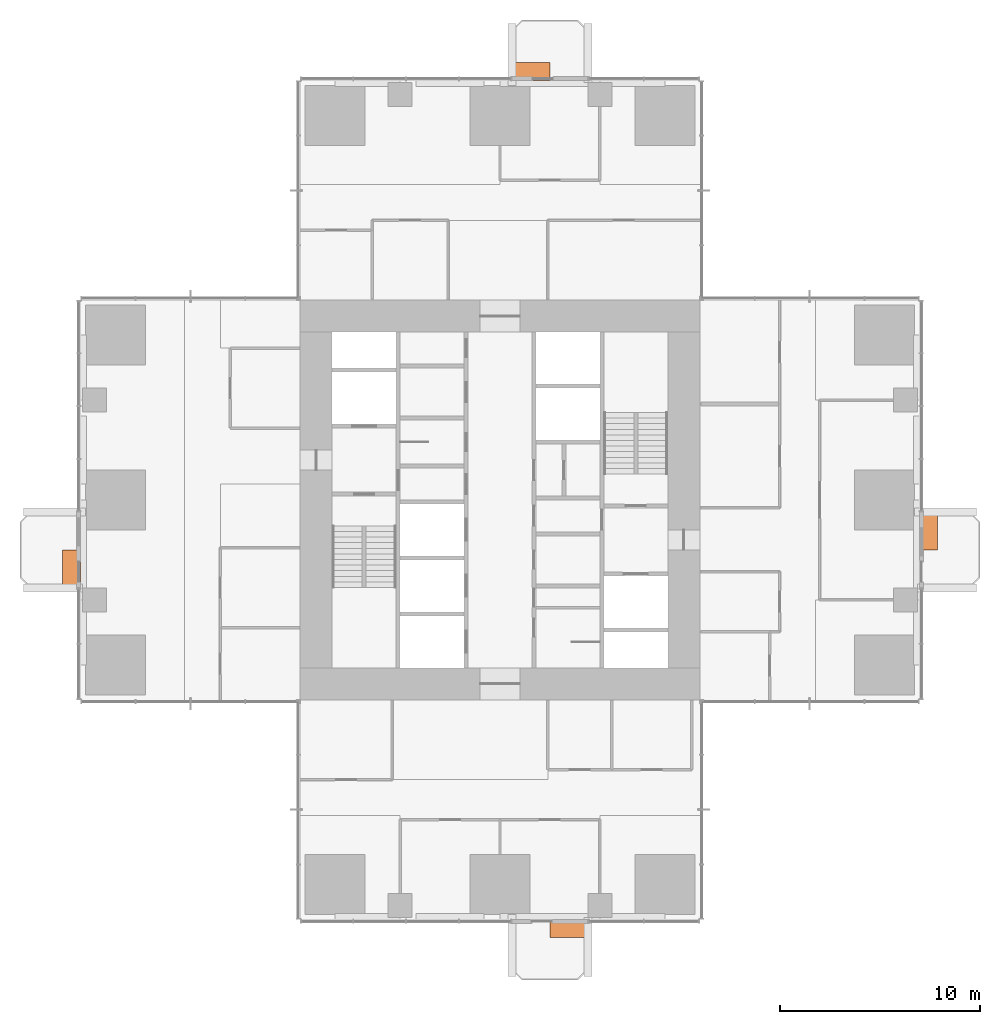
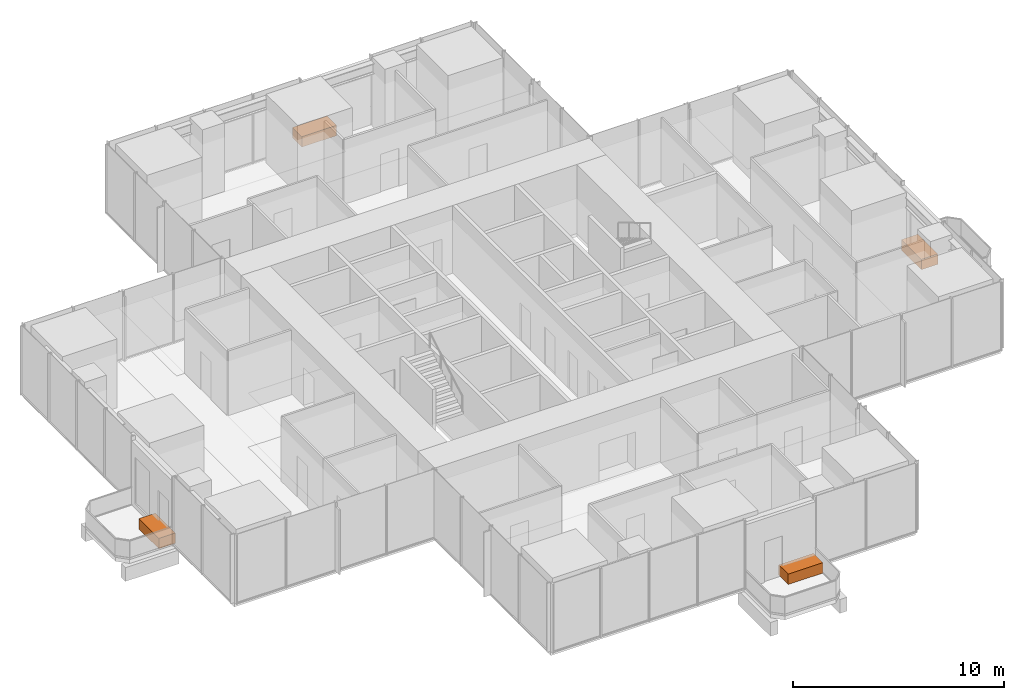
# One storey, part 13 of 13: 4 proxies.
"""IFC4 building model written with IfcOpenShell, lengths in metres."""

from ifc_helpers import new_model, si_unit, direction, frame, origin, origin_2d, place, context, subcontext, project, spatial, rectangle, extrude, element, save


model = new_model("IFC4")

# Units and contexts
model_context = context("Model", 3, precision=1e-05, world=origin(), true_north=direction((0.0, 1.0)))
body_context = subcontext(model_context, "Body", "Model", "MODEL_VIEW")
ifc_project = project(units=[si_unit("LENGTHUNIT", "METRE"), si_unit("AREAUNIT", "SQUARE_METRE"), si_unit("VOLUMEUNIT", "CUBIC_METRE"), si_unit("PLANEANGLEUNIT", "RADIAN"), si_unit("MASSUNIT", "GRAM", prefix="KILO")], contexts=[model_context])

# Site, building, storey
site_placement = place(None, origin())
site = spatial("IfcSite", under=ifc_project, at=site_placement, CompositionType="ELEMENT")
building_placement = place(site_placement, origin())
building = spatial("IfcBuilding", under=site, at=building_placement, Name="Svetlomir Tower", CompositionType="ELEMENT")
storey_placement = place(building_placement, frame((0.0, 0.0, 120.5)))
storey = spatial("IfcBuildingStorey", under=building, at=storey_placement, Name="L28", CompositionType="ELEMENT", Elevation=120.5)

# Proxies
proxy_1_placement = place(storey_placement, frame((24.449951171875, -0.449951171875, 0.0400390625), z_axis=(0.0, 0.0, 1.0), x_axis=(1.0, 0.0, 0.0)))
element("IfcBuildingElementProxy", 1, at=proxy_1_placement, inside=storey, Name="Tree planter S L28", ObjectType="PLANTER", PredefinedType="USERDEFINED", context=body_context, shape_type="SweptSolid", body=[
    extrude(rectangle(XDim=1.89990234375, YDim=0.89990234375, at=origin_2d()), origin(), (0.0, 0.0, 1.0), 0.60009765625),
])
proxy_2_placement = place(storey_placement, frame((42.449951171875, 19.449951171875, 0.0400390625), z_axis=(0.0, 0.0, 1.0), x_axis=(1.0, 0.0, 0.0)))
element("IfcBuildingElementProxy", 2, at=proxy_2_placement, inside=storey, Name="Tree planter E L28", ObjectType="PLANTER", PredefinedType="USERDEFINED", context=body_context, shape_type="SweptSolid", body=[
    extrude(rectangle(XDim=0.89990234375, YDim=1.89990234375, at=origin_2d()), origin(), (0.0, 0.0, 1.0), 0.60009765625),
])
proxy_3_placement = place(storey_placement, frame((22.550048828125, 42.449951171875, 0.0400390625), z_axis=(0.0, 0.0, 1.0), x_axis=(1.0, 0.0, 0.0)))
element("IfcBuildingElementProxy", 3, at=proxy_3_placement, inside=storey, Name="Tree planter N L28", ObjectType="PLANTER", PredefinedType="USERDEFINED", context=body_context, shape_type="SweptSolid", body=[
    extrude(rectangle(XDim=1.89990234375, YDim=0.89990234375, at=origin_2d()), origin(), (0.0, 0.0, 1.0), 0.60009765625),
])
proxy_4_placement = place(storey_placement, frame((-0.449951171875, 17.550048828125, 0.0400390625), z_axis=(0.0, 0.0, 1.0), x_axis=(1.0, 0.0, 0.0)))
element("IfcBuildingElementProxy", 4, at=proxy_4_placement, inside=storey, Name="Tree planter W L28", ObjectType="PLANTER", PredefinedType="USERDEFINED", context=body_context, shape_type="SweptSolid", body=[
    extrude(rectangle(XDim=0.89990234375, YDim=1.89990234375, at=origin_2d()), origin(), (0.0, 0.0, 1.0), 0.60009765625),
])

save(model, "model.ifc")
